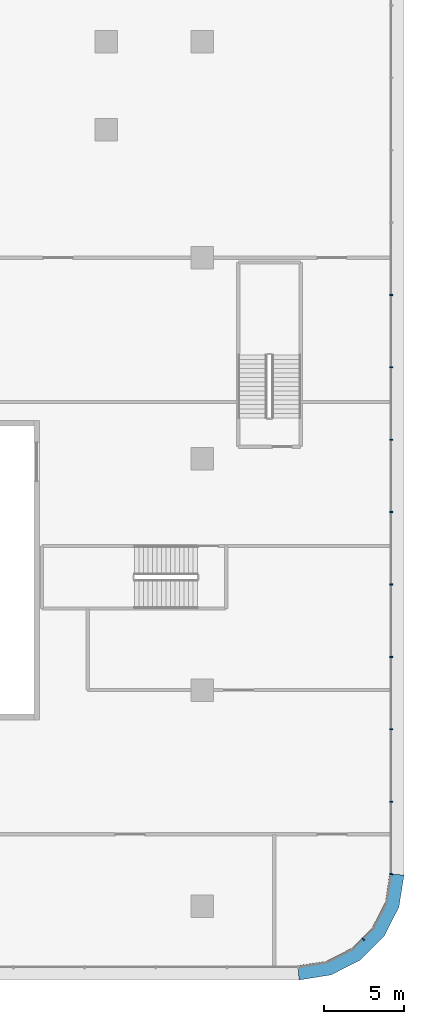
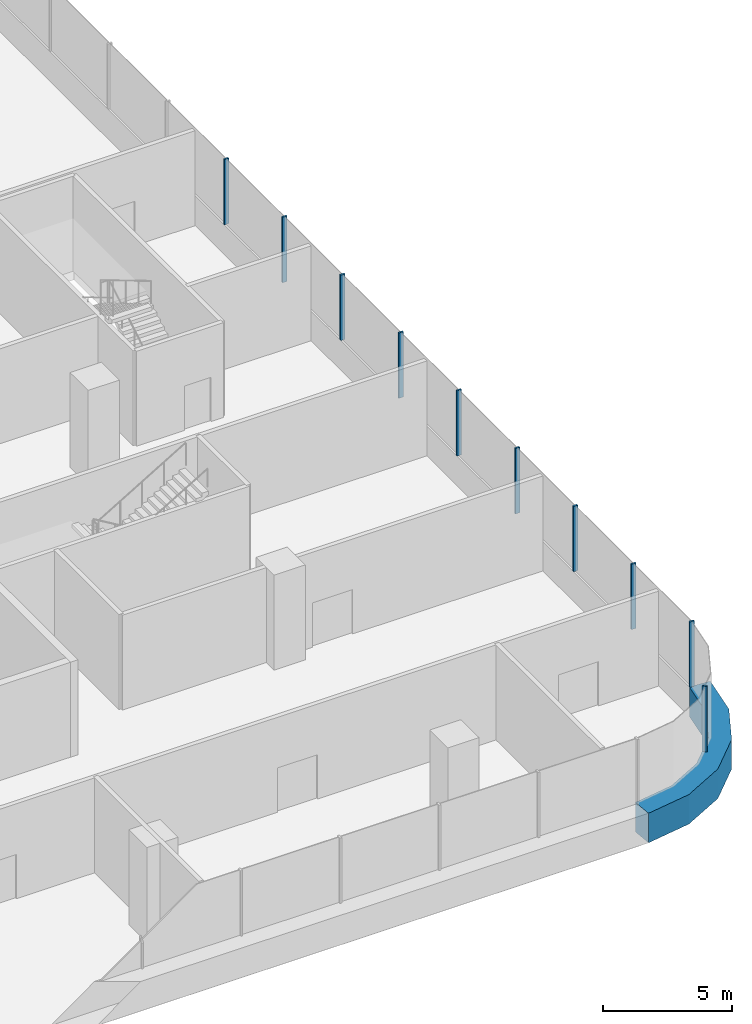
# One storey, part 16 of 44: 11 members, 2 elements without a shape of their own.
"""IFC4 building model written with IfcOpenShell, lengths in metres."""

from ifc_helpers import new_model, si_unit, direction, frame, origin, origin_2d, place, context, subcontext, project, spatial, polyline, rectangle, outline, extrude, material, layer, layer_set, material_profile, profile_set, type_object, element, aggregate, save


model = new_model("IFC4")

# Units and contexts
model_context = context("Model", 3, precision=1e-05, world=origin(), true_north=direction((0.0, 1.0)))
body_context = subcontext(model_context, "Body", "Model", "MODEL_VIEW")
ifc_project = project(units=[si_unit("LENGTHUNIT", "METRE"), si_unit("AREAUNIT", "SQUARE_METRE"), si_unit("VOLUMEUNIT", "CUBIC_METRE"), si_unit("PLANEANGLEUNIT", "RADIAN"), si_unit("MASSUNIT", "GRAM", prefix="KILO")], contexts=[model_context])

# Site, building, storey
site_placement = place(None, origin())
site = spatial("IfcSite", under=ifc_project, at=site_placement, CompositionType="ELEMENT")
building_placement = place(site_placement, origin())
building = spatial("IfcBuilding", under=site, at=building_placement, Name="Tamarind Cross Interchange Tower", CompositionType="ELEMENT")
storey_placement = place(building_placement, frame((0.0, 0.0, 15.0)))
storey = spatial("IfcBuildingStorey", under=building, at=storey_placement, Name="L02", CompositionType="ELEMENT", Elevation=15.0)

# Curtain wall, member
ifc_material_1 = material(Name="Aluminium 6063-T6", Category="aluminium")
ifc_layer = layer(ifc_material_1, 0.199951171875)
ifc_layer_set = layer_set([ifc_layer], Name="Aluminium 6063-T6")
curtain_wall_type = type_object("IfcCurtainWallType", Name="Podium shopfront and station curtain wall", PredefinedType="NOTDEFINED", material=ifc_layer_set)
curtain_wall_1_placement = place(storey_placement, origin())
curtain_wall_1 = element("IfcCurtainWall", 1, at=curtain_wall_1_placement, inside=storey, type_object=curtain_wall_type, Name="CWS-L02-07", PredefinedType="NOTDEFINED")
ifc_material_2 = material(Name="Aluminium and insulated spandrel panel", Category="aluminium")
member_type_1 = type_object("IfcMemberType", Name="Floor-edge blade transom", PredefinedType="USERDEFINED", material=ifc_material_2)
member_1_placement = place(storey_placement, origin())
member_1 = element("IfcMember", 2, at=member_1_placement, type_object=member_type_1, Name="CWT-L02-07", ObjectType="TRANSOM", PredefinedType="USERDEFINED", context=body_context, shape_type="SweptSolid", body=[
    extrude(outline(polyline([(59.976318359375, -57.699951171875), (61.76025390625, -57.41748046875), (63.34814453125, -56.6083984375), (64.6083984375, -55.34814453125), (65.41748046875, -53.76025390625), (65.699951171875, -51.976318359375), (66.60009765625, -52.047119140625), (66.2841796875, -54.041748046875), (65.345458984375, -55.8837890625), (63.8837890625, -57.345458984375), (62.041748046875, -58.2841796875), (60.047119140625, -58.60009765625), (59.976318359375, -57.699951171875)])), origin(), (0.0, 0.0, 1.0), 1.39990234375),
])

# Curtain wall, members
curtain_wall_2_placement = place(storey_placement, origin())
curtain_wall_2 = element("IfcCurtainWall", 3, at=curtain_wall_2_placement, inside=storey, type_object=curtain_wall_type, Name="CWS-L02-00", PredefinedType="NOTDEFINED")
ifc_material_profile = material_profile(ifc_material_1, rectangle(XDim=0.080078125, YDim=0.199951171875, at=origin_2d()), Name="Mullion CW3")
ifc_profile_set = profile_set([ifc_material_profile], Name="Aluminium 6063-T6")
member_type_2 = type_object("IfcMemberType", Name="Mullion CW3", PredefinedType="MULLION", material=ifc_profile_set)
member_2_placement = place(storey_placement, frame((65.800048828125, -51.984375, 1.39990234375), z_axis=(0.0, 0.0, 1.0), x_axis=(0.078459095728, 0.996917333733, 0.0)))
member_2 = element("IfcMember", 4, at=member_2_placement, type_object=member_type_2, Name="CWM-L02-00-00", PredefinedType="MULLION", context=body_context, shape_type="SweptSolid", body=[
    extrude(rectangle(XDim=0.080078125, YDim=0.199951171875, at=origin_2d()), origin(), (0.0, 0.0, 1.0), 3.10009765625),
])
member_3_placement = place(storey_placement, frame((65.800048828125, -47.4638671875, 1.39990234375), z_axis=(0.0, 0.0, 1.0), x_axis=(0.0, 1.0, 0.0)))
member_3 = element("IfcMember", 5, at=member_3_placement, type_object=member_type_2, Name="CWM-L02-00-01", PredefinedType="MULLION", context=body_context, shape_type="SweptSolid", body=[
    extrude(rectangle(XDim=0.080078125, YDim=0.199951171875, at=origin_2d()), origin(), (0.0, 0.0, 1.0), 3.10009765625),
])
member_4_placement = place(storey_placement, frame((65.800048828125, -42.943603515625, 1.39990234375), z_axis=(0.0, 0.0, 1.0), x_axis=(0.0, 1.0, 0.0)))
member_4 = element("IfcMember", 6, at=member_4_placement, type_object=member_type_2, Name="CWM-L02-00-02", PredefinedType="MULLION", context=body_context, shape_type="SweptSolid", body=[
    extrude(rectangle(XDim=0.080078125, YDim=0.199951171875, at=origin_2d()), origin(), (0.0, 0.0, 1.0), 3.10009765625),
])
member_5_placement = place(storey_placement, frame((65.800048828125, -38.423095703125, 1.39990234375), z_axis=(0.0, 0.0, 1.0), x_axis=(0.0, 1.0, 0.0)))
member_5 = element("IfcMember", 7, at=member_5_placement, type_object=member_type_2, Name="CWM-L02-00-03", PredefinedType="MULLION", context=body_context, shape_type="SweptSolid", body=[
    extrude(rectangle(XDim=0.080078125, YDim=0.199951171875, at=origin_2d()), origin(), (0.0, 0.0, 1.0), 3.10009765625),
])
member_6_placement = place(storey_placement, frame((65.800048828125, -33.90283203125, 1.39990234375), z_axis=(0.0, 0.0, 1.0), x_axis=(0.0, 1.0, 0.0)))
member_6 = element("IfcMember", 8, at=member_6_placement, type_object=member_type_2, Name="CWM-L02-00-04", PredefinedType="MULLION", context=body_context, shape_type="SweptSolid", body=[
    extrude(rectangle(XDim=0.080078125, YDim=0.199951171875, at=origin_2d()), origin(), (0.0, 0.0, 1.0), 3.10009765625),
])
member_7_placement = place(storey_placement, frame((65.800048828125, -29.38232421875, 1.39990234375), z_axis=(0.0, 0.0, 1.0), x_axis=(0.0, 1.0, 0.0)))
member_7 = element("IfcMember", 9, at=member_7_placement, type_object=member_type_2, Name="CWM-L02-00-05", PredefinedType="MULLION", context=body_context, shape_type="SweptSolid", body=[
    extrude(rectangle(XDim=0.080078125, YDim=0.199951171875, at=origin_2d()), origin(), (0.0, 0.0, 1.0), 3.10009765625),
])
member_8_placement = place(storey_placement, frame((65.800048828125, -24.862060546875, 1.39990234375), z_axis=(0.0, 0.0, 1.0), x_axis=(0.0, 1.0, 0.0)))
member_8 = element("IfcMember", 10, at=member_8_placement, type_object=member_type_2, Name="CWM-L02-00-06", PredefinedType="MULLION", context=body_context, shape_type="SweptSolid", body=[
    extrude(rectangle(XDim=0.080078125, YDim=0.199951171875, at=origin_2d()), origin(), (0.0, 0.0, 1.0), 3.10009765625),
])
member_9_placement = place(storey_placement, frame((65.800048828125, -20.341552734375, 1.39990234375), z_axis=(0.0, 0.0, 1.0), x_axis=(0.0, 1.0, 0.0)))
member_9 = element("IfcMember", 11, at=member_9_placement, type_object=member_type_2, Name="CWM-L02-00-07", PredefinedType="MULLION", context=body_context, shape_type="SweptSolid", body=[
    extrude(rectangle(XDim=0.080078125, YDim=0.199951171875, at=origin_2d()), origin(), (0.0, 0.0, 1.0), 3.10009765625),
])
member_10_placement = place(storey_placement, frame((65.800048828125, -15.8212890625, 1.39990234375), z_axis=(0.0, 0.0, 1.0), x_axis=(0.0, 1.0, 0.0)))
member_10 = element("IfcMember", 12, at=member_10_placement, type_object=member_type_2, Name="CWM-L02-00-08", PredefinedType="MULLION", context=body_context, shape_type="SweptSolid", body=[
    extrude(rectangle(XDim=0.080078125, YDim=0.199951171875, at=origin_2d()), origin(), (0.0, 0.0, 1.0), 3.10009765625),
])
aggregate(curtain_wall_2, [member_2, member_3, member_4, member_5, member_6, member_7, member_8, member_9, member_10])

# Member
member_11_placement = place(storey_placement, frame((64.049072265625, -56.049072265625, 1.39990234375), z_axis=(0.0, 0.0, 1.0), x_axis=(0.707106781187, 0.707106781187, 0.0)))
member_11 = element("IfcMember", 13, at=member_11_placement, type_object=member_type_2, Name="CWM-L02-07-01", PredefinedType="MULLION", context=body_context, shape_type="SweptSolid", body=[
    extrude(rectangle(XDim=0.080078125, YDim=0.199951171875, at=origin_2d()), origin(), (0.0, 0.0, 1.0), 3.10009765625),
])

aggregate(curtain_wall_1, [member_11, member_1])

save(model, "model.ifc")
